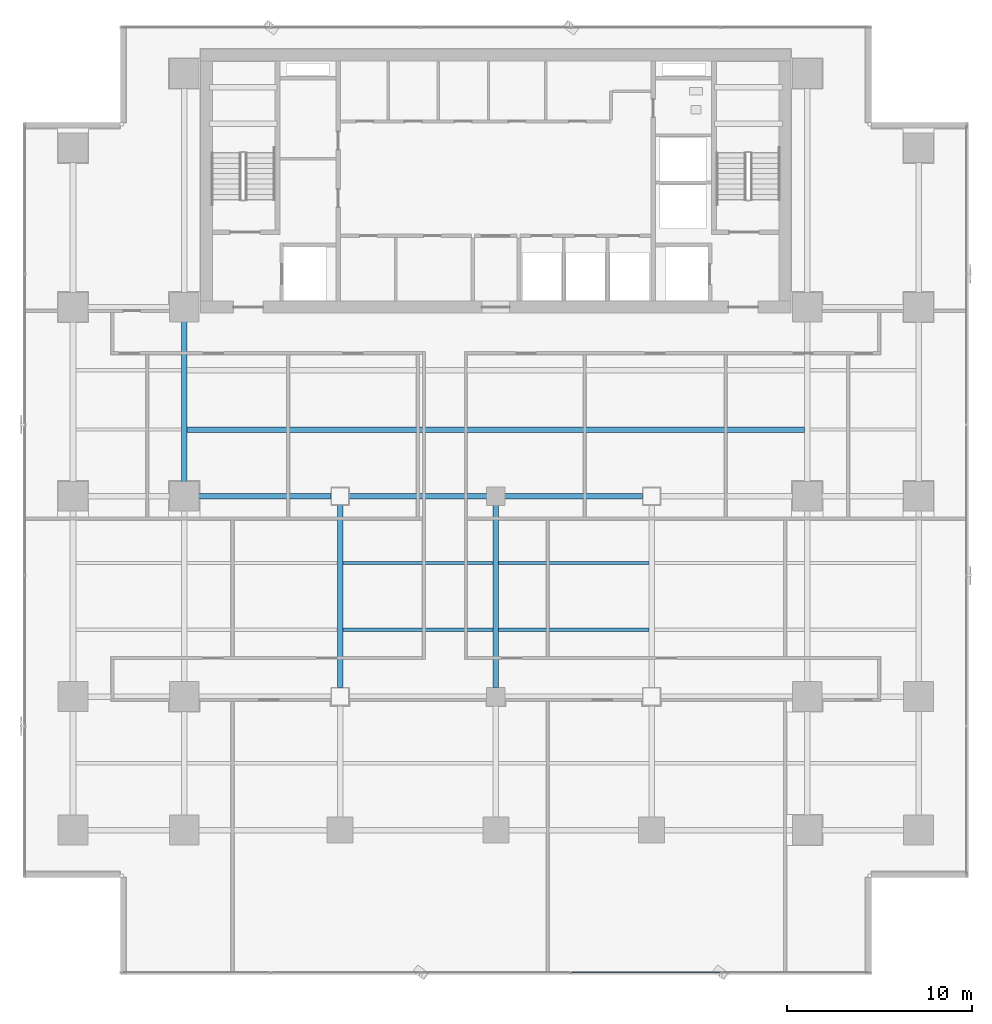
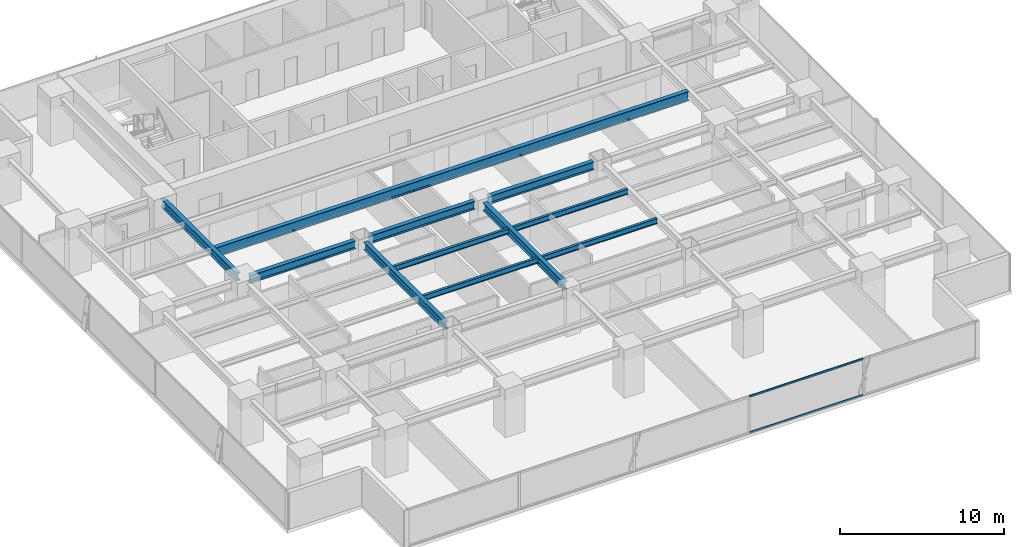
# One storey, part 11 of 37: 11 beams, 2 members, 1 element without a shape of its own.
"""IFC4 building model written with IfcOpenShell, lengths in metres."""

import ifcopenshell
import ifcopenshell.guid

model = None  # the IFC model being written
_history = None  # IfcOwnerHistory: only IFC2X3 demands one
_inside = {}  # id of a spatial element -> (the spatial element, [elements in it])
_under = {}  # id of a project, library or spatial element -> (it, [spatial elements below it])
_declared = {}  # id of a project -> (the project, [libraries it declares])
_typed = {}  # id of a type object -> (the type object, [elements of that type])
_made_of = {}  # id of a material, layer set ... -> (it, [elements and type objects made of it])


def new_model(schema):
    """Start an empty IFC model of exactly this schema.

    Asked for "IFC4X3", IfcOpenShell would pick the latest addendum, in which some entities
    have other attributes; the version numbers below select the first issue.
    IFC2X3 requires an IfcOwnerHistory on every rooted entity: one is made here for all.
    """
    global model, _history
    if schema == "IFC4X3":
        model = ifcopenshell.file(schema_version=(4, 3, 0, 0))
    else:
        model = ifcopenshell.file(schema=schema)
    _inside.clear()
    _under.clear()
    _declared.clear()
    _typed.clear()
    _made_of.clear()
    _history = None
    if model.schema == "IFC2X3":
        org = make("IfcOrganization", Name="unknown")
        user = make(
            "IfcPersonAndOrganization",
            ThePerson=make("IfcPerson", FamilyName="unknown"),
            TheOrganization=org,
        )
        app = make(
            "IfcApplication",
            ApplicationDeveloper=org,
            Version="unknown",
            ApplicationFullName="unknown",
            ApplicationIdentifier="unknown",
        )
        _history = make(
            "IfcOwnerHistory",
            OwningUser=user,
            OwningApplication=app,
            ChangeAction="ADDED",
            CreationDate=0,
        )
    return model


def make(cls, **values):
    """One entity of the class cls with the attributes given. An attribute that is None is left unset."""
    return model.create_entity(
        cls, **{name: value for name, value in values.items() if value is not None}
    )


def rooted(cls, **values):
    """An entity with a GlobalId (a new one), such as an element, a storey or a relation."""
    return make(cls, GlobalId=ifcopenshell.guid.new(), OwnerHistory=_history, **values)


def si_unit(unit_type, name, prefix=None):
    """IfcSIUnit, for example si_unit("LENGTHUNIT", "METRE", prefix="MILLI")."""
    return make("IfcSIUnit", UnitType=unit_type, Prefix=prefix, Name=name)


def assignment(units):
    """IfcUnitAssignment: the units of a project."""
    return None if units is None else make("IfcUnitAssignment", Units=units)


def point(xyz):
    """IfcCartesianPoint."""
    return None if xyz is None else make("IfcCartesianPoint", Coordinates=xyz)


def direction(xyz):
    """IfcDirection."""
    return None if xyz is None else make("IfcDirection", DirectionRatios=xyz)


def frame(location, z_axis=None, x_axis=None):
    """IfcAxis2Placement3D, a coordinate frame: its origin and axes. An axis left out is left unset."""
    return make(
        "IfcAxis2Placement3D",
        Location=point(location),
        Axis=direction(z_axis),
        RefDirection=direction(x_axis),
    )


def frame_2d(location, x_axis=None):
    """IfcAxis2Placement2D, a coordinate frame in the plane: its origin and x axis."""
    return make(
        "IfcAxis2Placement2D", Location=point(location), RefDirection=direction(x_axis)
    )


def origin():
    """The frame at (0, 0, 0) with its axes left unset."""
    return frame((0.0, 0.0, 0.0))


def origin_2d():
    """The frame at (0, 0) in the plane with its x axis left unset."""
    return frame_2d((0.0, 0.0))


def place(relative_to, where):
    """IfcLocalPlacement: puts the frame where relative to a parent placement (None: the world)."""
    return make(
        "IfcLocalPlacement", PlacementRelTo=relative_to, RelativePlacement=where
    )


def context(
    kind, dimensions, precision=None, world=None, true_north=None, identifier=None
):
    """IfcGeometricRepresentationContext, for example the 3D "Model" context."""
    return make(
        "IfcGeometricRepresentationContext",
        ContextIdentifier=identifier,
        ContextType=kind,
        CoordinateSpaceDimension=dimensions,
        Precision=precision,
        WorldCoordinateSystem=world,
        TrueNorth=true_north,
    )


def subcontext(parent, identifier, kind, view, scale=None):
    """IfcGeometricRepresentationSubContext, for example "Body" below "Model"."""
    return make(
        "IfcGeometricRepresentationSubContext",
        ContextIdentifier=identifier,
        ContextType=kind,
        ParentContext=parent,
        TargetScale=scale,
        TargetView=view,
    )


def project(units=None, contexts=None):
    """IfcProject with its units and contexts."""
    return rooted(
        "IfcProject",
        Name="project",
        RepresentationContexts=contexts,
        UnitsInContext=assignment(units),
    )


def spatial(cls, under=None, at=None, **own):
    """A site, building, storey or space (cls), placed at a placement, below another one or the project."""
    s = rooted(cls, ObjectPlacement=at, **own)
    if under is not None:
        _under.setdefault(under.id(), (under, []))[1].append(s)
    return s


def profile(cls, at=None, kind="AREA", **sizes):
    """A parametric profile (cls). Its sizes go by their IFC names, for example OverallWidth=200.0."""
    return make(cls, ProfileType=kind, Position=at, **sizes)


def hollow_rectangle(**sizes):
    """IfcRectangleHollowProfileDef."""
    return profile("IfcRectangleHollowProfileDef", **sizes)


def i_section(**sizes):
    """IfcIShapeProfileDef."""
    return profile("IfcIShapeProfileDef", **sizes)


def extrude(swept, where, along, depth):
    """IfcExtrudedAreaSolid: the profile swept, set in the frame where, extruded along a direction by depth."""
    return make(
        "IfcExtrudedAreaSolid",
        SweptArea=swept,
        Position=where,
        ExtrudedDirection=direction(along),
        Depth=depth,
    )


def shape(context_of_items, identifier, shape_type, items):
    """IfcShapeRepresentation: the items that make up one representation, for example the "Body"."""
    return make(
        "IfcShapeRepresentation",
        ContextOfItems=context_of_items,
        RepresentationIdentifier=identifier,
        RepresentationType=shape_type,
        Items=items,
    )


def source(mapping_origin, context_of_items, identifier, shape_type, items):
    """IfcRepresentationMap: a shape defined once, which mapped items show again and again."""
    return make(
        "IfcRepresentationMap",
        MappingOrigin=mapping_origin,
        MappedRepresentation=shape(context_of_items, identifier, shape_type, items),
    )


def transform(
    local_origin,
    x_axis=None,
    y_axis=None,
    z_axis=None,
    scale=None,
    scale2=None,
    scale3=None,
    uniform=True,
):
    """IfcCartesianTransformationOperator3D, or its non-uniform kind. x_axis, y_axis, z_axis: its Axis1, 2, 3."""
    if uniform:
        return make(
            "IfcCartesianTransformationOperator3D",
            Axis1=direction(x_axis),
            Axis2=direction(y_axis),
            LocalOrigin=point(local_origin),
            Scale=scale,
            Axis3=direction(z_axis),
        )
    return make(
        "IfcCartesianTransformationOperator3DnonUniform",
        Axis1=direction(x_axis),
        Axis2=direction(y_axis),
        LocalOrigin=point(local_origin),
        Scale=scale,
        Axis3=direction(z_axis),
        Scale2=scale2,
        Scale3=scale3,
    )


def mapped(mapping_source, mapping_target):
    """IfcMappedItem: shows the shape of a source again, moved by a transform."""
    return make(
        "IfcMappedItem", MappingSource=mapping_source, MappingTarget=mapping_target
    )


def material(Name=None, Category=None):
    """IfcMaterial."""
    return make("IfcMaterial", Name=Name, Category=Category)


def layer(
    of_material, thickness, ventilated=None, Name=None, Category=None, Priority=None
):
    """IfcMaterialLayer: one layer of a wall or slab, of a material (None: an air gap)."""
    return make(
        "IfcMaterialLayer",
        Material=of_material,
        LayerThickness=thickness,
        IsVentilated=ventilated,
        Name=Name,
        Category=Category,
        Priority=Priority,
    )


def layer_set(layers, Name=None):
    """IfcMaterialLayerSet."""
    return make("IfcMaterialLayerSet", MaterialLayers=layers, LayerSetName=Name)


def material_profile(
    of_material, cross_section, Name=None, Category=None, Priority=None
):
    """IfcMaterialProfile: a cross section and its material."""
    return make(
        "IfcMaterialProfile",
        Name=Name,
        Material=of_material,
        Profile=cross_section,
        Priority=Priority,
        Category=Category,
    )


def profile_set(profiles, Name=None, composite=None):
    """IfcMaterialProfileSet."""
    return make(
        "IfcMaterialProfileSet",
        Name=Name,
        MaterialProfiles=profiles,
        CompositeProfile=composite,
    )


def made_of(thing, what):
    """Note that an element or type object is made of a material, layer set ...; save() writes the relation."""
    if what is not None:
        _made_of.setdefault(what.id(), (what, []))[1].append(thing)
    return thing


def type_object(cls, material=None, **own):
    """A type object (cls), such as IfcWallType, which elements share."""
    return made_of(rooted(cls, **own), material)


def element(
    cls,
    number,
    at=None,
    inside=None,
    cuts=None,
    type_object=None,
    material=None,
    context=None,
    identifier="Body",
    shape_type=None,
    held_by="IfcProductDefinitionShape",
    body=None,
    shapes=None,
    **own,
):
    """One element of the class cls, such as IfcWall. Its Tag is "e" and its number.

    at: its placement. inside: the storey or other place that contains it. cuts: it is an
    opening in that element (IfcRelVoidsElement). A single representation is given by context,
    identifier, shape_type and body (its items); several are given by shapes. held_by: the class
    of the entity that holds the representations. save() writes the other relations.
    """
    e = rooted(cls, Tag="e%d" % number, ObjectPlacement=at, **own)
    if body is not None:
        shapes = [shape(context, identifier, shape_type, body)]
    if shapes is not None:
        e.Representation = make(held_by, Representations=shapes)
    if inside is not None:
        _inside.setdefault(inside.id(), (inside, []))[1].append(e)
    if cuts is not None:
        rooted(
            "IfcRelVoidsElement", RelatingBuildingElement=cuts, RelatedOpeningElement=e
        )
    if type_object is not None:
        _typed.setdefault(type_object.id(), (type_object, []))[1].append(e)
    return made_of(e, material)


def aggregate(whole, parts):
    """IfcRelAggregates: a whole, such as a stair, and the parts it consists of."""
    return rooted("IfcRelAggregates", RelatingObject=whole, RelatedObjects=parts)


def save(model, path):
    """Write the relations noted so far, then the file.

    IfcRelAggregates (storeys below a building ...), IfcRelContainedInSpatialStructure (elements
    in a storey), IfcRelDefinesByType, IfcRelAssociatesMaterial and IfcRelDeclares: one each for
    every whole, place, type object, material and project.
    """
    for whole, parts in _under.values():
        aggregate(whole, parts)
    for where, things in _inside.values():
        rooted(
            "IfcRelContainedInSpatialStructure",
            RelatedElements=things,
            RelatingStructure=where,
        )
    for kind, things in _typed.values():
        rooted("IfcRelDefinesByType", RelatedObjects=things, RelatingType=kind)
    for what, things in _made_of.values():
        rooted("IfcRelAssociatesMaterial", RelatedObjects=things, RelatingMaterial=what)
    for by, libraries in _declared.values():
        rooted("IfcRelDeclares", RelatingContext=by, RelatedDefinitions=libraries)
    model.write(path)


model = new_model("IFC4")

# Units and contexts
model_context = context("Model", 3, precision=1e-05, world=origin(), true_north=direction((0.0, 1.0)))
body_context = subcontext(model_context, "Body", "Model", "MODEL_VIEW")
ifc_project = project(units=[si_unit("LENGTHUNIT", "METRE"), si_unit("AREAUNIT", "SQUARE_METRE"), si_unit("VOLUMEUNIT", "CUBIC_METRE"), si_unit("PLANEANGLEUNIT", "RADIAN"), si_unit("MASSUNIT", "GRAM", prefix="KILO")], contexts=[model_context])

# Site, building, storey
site_placement = place(None, origin())
site = spatial("IfcSite", under=ifc_project, at=site_placement, CompositionType="ELEMENT")
building_placement = place(site_placement, origin())
building = spatial("IfcBuilding", under=site, at=building_placement, Name="Sumidabori Civic Tower", CompositionType="ELEMENT")
storey_placement = place(building_placement, frame((0.0, 0.0, 95.60009765625)))
storey = spatial("IfcBuildingStorey", under=building, at=storey_placement, Name="L24", CompositionType="ELEMENT", Elevation=95.60009765625)

# Beams
ifc_material_1 = material(Name="Steel SN490", Category="steel")
ifc_material_profile_1 = material_profile(ifc_material_1, i_section(OverallWidth=0.300048828125, OverallDepth=0.60009765625, WebThickness=0.015380859375, FlangeThickness=0.030029296875, at=origin_2d()), Name="HE 600 B")
ifc_profile_set_1 = profile_set([ifc_material_profile_1], Name="Steel SN490")
beam_type_1 = type_object("IfcBeamType", Name="BM-GIRD-600", PredefinedType="BEAM", material=ifc_profile_set_1)
shared_shape_1 = source(origin(), body_context, "Body", "SweptSolid", [
    extrude(i_section(OverallWidth=0.300048828125, OverallDepth=0.60009765625, WebThickness=0.015380859375, FlangeThickness=0.030029296875, at=origin_2d()), origin(), (0.0, 0.0, 1.0), 7.440185546875),
])
beam_1_placement = place(storey_placement, frame((-16.320068359375, 0.0, 3.059814453125), z_axis=(1.0, 0.0, 0.0), x_axis=(0.0, 1.0, 0.0)))
element("IfcBeam", 1, at=beam_1_placement, inside=storey, type_object=beam_type_1, Name="Primary Girder L24 GX-14", PredefinedType="BEAM", context=body_context, shape_type="MappedRepresentation", body=[
    mapped(shared_shape_1, transform((0.0, 0.0, 0.0), x_axis=(1.0, 0.0, 0.0), y_axis=(0.0, 1.0, 0.0), z_axis=(0.0, 0.0, 1.0), scale=1.0)),
])
shared_shape_2 = source(origin(), body_context, "Body", "SweptSolid", [
    extrude(i_section(OverallWidth=0.300048828125, OverallDepth=0.60009765625, WebThickness=0.015380859375, FlangeThickness=0.030029296875, at=origin_2d()), origin(), (0.0, 0.0, 1.0), 7.43994140625),
])
for number, where, z_axis, x_axis, name in (
    (2, (-7.919921875, 0.0, 3.059814453125), (1.0, 0.0, 0.0), (0.0, 1.0, 0.0), "Primary Girder L24 GX-15"),
    (3, (0.47998046875, 0.0, 3.059814453125), (1.0, 0.0, 0.0), (0.0, 1.0, 0.0), "Primary Girder L24 GX-16"),
):
    element("IfcBeam", number, at=place(storey_placement, frame(where, z_axis=z_axis, x_axis=x_axis)), inside=storey, type_object=beam_type_1, Name=name, PredefinedType="BEAM", context=body_context, shape_type="MappedRepresentation", body=[
        mapped(shared_shape_2, transform((0.0, 0.0, 0.0), x_axis=(1.0, 0.0, 0.0), y_axis=(0.0, 1.0, 0.0), z_axis=(0.0, 0.0, 1.0), scale=1.0)),
    ])
shared_shape_3 = source(origin(), body_context, "Body", "SweptSolid", [
    extrude(i_section(OverallWidth=0.300048828125, OverallDepth=0.60009765625, WebThickness=0.015380859375, FlangeThickness=0.030029296875, at=origin_2d()), origin(), (0.0, 0.0, 1.0), 9.840087890625),
])
for number, where, z_axis, x_axis, name in (
    (4, (-8.39990234375, -10.320068359375, 3.059814453125), (0.0, 1.0, 0.0), (-1.0, 0.0, 0.0), "Primary Girder L24 GY-30"),
    (5, (0.0, -10.320068359375, 3.059814453125), (0.0, 1.0, 0.0), (-1.0, 0.0, 0.0), "Primary Girder L24 GY-32"),
):
    element("IfcBeam", number, at=place(storey_placement, frame(where, z_axis=z_axis, x_axis=x_axis)), inside=storey, type_object=beam_type_1, Name=name, PredefinedType="BEAM", context=body_context, shape_type="MappedRepresentation", body=[
        mapped(shared_shape_3, transform((0.0, 0.0, 0.0), x_axis=(1.0, 0.0, 0.0), y_axis=(0.0, 1.0, 0.0), z_axis=(0.0, 0.0, 1.0), scale=1.0)),
    ])
shared_shape_4 = source(origin(), body_context, "Body", "SweptSolid", [
    extrude(i_section(OverallWidth=0.300048828125, OverallDepth=0.60009765625, WebThickness=0.015380859375, FlangeThickness=0.030029296875, at=origin_2d()), origin(), (0.0, 0.0, 1.0), 9.239990234375),
])
beam_2_placement = place(storey_placement, frame((-16.800048828125, 0.47998046875, 3.059814453125), z_axis=(0.0, 1.0, 0.0), x_axis=(-1.0, 0.0, 0.0)))
element("IfcBeam", 6, at=beam_2_placement, inside=storey, type_object=beam_type_1, Name="Primary Girder L24 GY-27", PredefinedType="BEAM", context=body_context, shape_type="MappedRepresentation", body=[
    mapped(shared_shape_4, transform((0.0, 0.0, 0.0), x_axis=(1.0, 0.0, 0.0), y_axis=(0.0, 1.0, 0.0), z_axis=(0.0, 0.0, 1.0), scale=1.0)),
])
ifc_material_profile_2 = material_profile(ifc_material_1, i_section(OverallWidth=0.300048828125, OverallDepth=0.699951171875, WebThickness=0.01708984375, FlangeThickness=0.031982421875, at=origin_2d()), Name="HE 700 B")
ifc_profile_set_2 = profile_set([ifc_material_profile_2], Name="Steel SN490")
beam_type_2 = type_object("IfcBeamType", Name="BM-GIRD-700", PredefinedType="BEAM", material=ifc_profile_set_2)
shared_shape_5 = source(origin(), body_context, "Body", "SweptSolid", [
    extrude(i_section(OverallWidth=0.300048828125, OverallDepth=0.699951171875, WebThickness=0.01708984375, FlangeThickness=0.031982421875, at=origin_2d()), origin(), (0.0, 0.0, 1.0), 33.2998046875),
])
beam_3_placement = place(storey_placement, frame((-16.64990234375, 3.60009765625, 3.010009765625), z_axis=(1.0, 0.0, 0.0), x_axis=(0.0, 1.0, 0.0)))
element("IfcBeam", 7, at=beam_3_placement, inside=storey, type_object=beam_type_2, Name="North Bay Floor Beam L24 JSTN-53", PredefinedType="BEAM", context=body_context, shape_type="MappedRepresentation", body=[
    mapped(shared_shape_5, transform((0.0, 0.0, 0.0), x_axis=(1.0, 0.0, 0.0), y_axis=(0.0, 1.0, 0.0), z_axis=(0.0, 0.0, 1.0), scale=1.0)),
])
ifc_material_profile_3 = material_profile(ifc_material_1, i_section(OverallWidth=0.179931640625, OverallDepth=0.39990234375, WebThickness=0.008544921875, FlangeThickness=0.013427734375, at=origin_2d()), Name="IPE 400")
ifc_profile_set_3 = profile_set([ifc_material_profile_3], Name="Steel SN490")
beam_type_3 = type_object("IfcBeamType", Name="BM-JST-400", PredefinedType="JOIST", material=ifc_profile_set_3)
shared_shape_6 = source(origin(), body_context, "Body", "SweptSolid", [
    extrude(i_section(OverallWidth=0.179931640625, OverallDepth=0.39990234375, WebThickness=0.008544921875, FlangeThickness=0.013427734375, at=origin_2d()), origin(), (0.0, 0.0, 1.0), 8.10009765625),
])
for number, where, z_axis, x_axis, name in (
    (8, (-8.25, -7.199951171875, 3.159912109375), (1.0, 0.0, 0.0), (0.0, 1.0, 0.0), "South Bay Floor Joist L24 JSTS-60"),
    (9, (0.14990234375, -7.199951171875, 3.159912109375), (1.0, 0.0, 0.0), (0.0, 1.0, 0.0), "South Bay Floor Joist L24 JSTS-61"),
    (10, (-8.25, -3.60009765625, 3.159912109375), (1.0, 0.0, 0.0), (0.0, 1.0, 0.0), "South Bay Floor Joist L24 JSTS-64"),
    (11, (0.14990234375, -3.60009765625, 3.159912109375), (1.0, 0.0, 0.0), (0.0, 1.0, 0.0), "South Bay Floor Joist L24 JSTS-65"),
):
    element("IfcBeam", number, at=place(storey_placement, frame(where, z_axis=z_axis, x_axis=x_axis)), inside=storey, type_object=beam_type_3, Name=name, PredefinedType="JOIST", context=body_context, shape_type="MappedRepresentation", body=[
        mapped(shared_shape_6, transform((0.0, 0.0, 0.0), x_axis=(1.0, 0.0, 0.0), y_axis=(0.0, 1.0, 0.0), z_axis=(0.0, 0.0, 1.0), scale=1.0)),
    ])

# Curtain wall, members
ifc_material_2 = material(Name="Anodised Bronze Aluminium AW-6063-T6", Category="aluminium")
ifc_layer = layer(ifc_material_2, 0.179931640625, Name="Anodised Bronze Aluminium AW-6063-T6")
ifc_layer_set = layer_set([ifc_layer], Name="Anodised Bronze Aluminium AW-6063-T6")
curtain_wall_type = type_object("IfcCurtainWallType", Name="CW-SYS-3", PredefinedType="NOTDEFINED", material=ifc_layer_set)
curtain_wall_placement = place(storey_placement, origin())
curtain_wall = element("IfcCurtainWall", 12, at=curtain_wall_placement, inside=storey, type_object=curtain_wall_type, Name="Curtain Wall CW:L24:R01", PredefinedType="NOTDEFINED")
ifc_material_profile_4 = material_profile(ifc_material_2, hollow_rectangle(XDim=0.06005859375, YDim=0.1298828125, WallThickness=0.0048828125, at=origin_2d()), Name="ALU TRANSOM 130x60")
ifc_profile_set_4 = profile_set([ifc_material_profile_4], Name="Anodised Bronze Aluminium AW-6063-T6")
member_type = type_object("IfcMemberType", Name="CW-TRN-130", PredefinedType="USERDEFINED", material=ifc_profile_set_4)
shared_shape_7 = source(origin(), body_context, "Body", "SweptSolid", [
    extrude(hollow_rectangle(XDim=0.06005859375, YDim=0.1298828125, WallThickness=0.0048828125, at=origin_2d()), origin(), (0.0, 0.0, 1.0), 8.023193359375),
])
member_1_placement = place(storey_placement, frame((4.076416015625, -25.679931640625, 0.02978515625), z_axis=(1.0, 0.0, 0.0), x_axis=(0.0, 1.0, 0.0)))
member_1 = element("IfcMember", 13, at=member_1_placement, type_object=member_type, Name="CW-3 transom 4.1", ObjectType="TRANSOM", PredefinedType="USERDEFINED", context=body_context, shape_type="MappedRepresentation", body=[
    mapped(shared_shape_7, transform((0.0, 0.0, 0.0), x_axis=(1.0, 0.0, 0.0), y_axis=(0.0, 1.0, 0.0), z_axis=(0.0, 0.0, 1.0), scale=1.0)),
])
member_2_placement = place(storey_placement, frame((4.076416015625, -25.679931640625, 2.7099609375), z_axis=(1.0, 0.0, 0.0), x_axis=(0.0, 1.0, 0.0)))
member_2 = element("IfcMember", 14, at=member_2_placement, type_object=member_type, Name="CW-3 transom 4.2", ObjectType="TRANSOM", PredefinedType="USERDEFINED", context=body_context, shape_type="MappedRepresentation", body=[
    mapped(shared_shape_7, transform((0.0, 0.0, 0.0), x_axis=(1.0, 0.0, 0.0), y_axis=(0.0, 1.0, 0.0), z_axis=(0.0, 0.0, 1.0), scale=1.0)),
])
aggregate(curtain_wall, [member_1, member_2])

save(model, "model.ifc")
